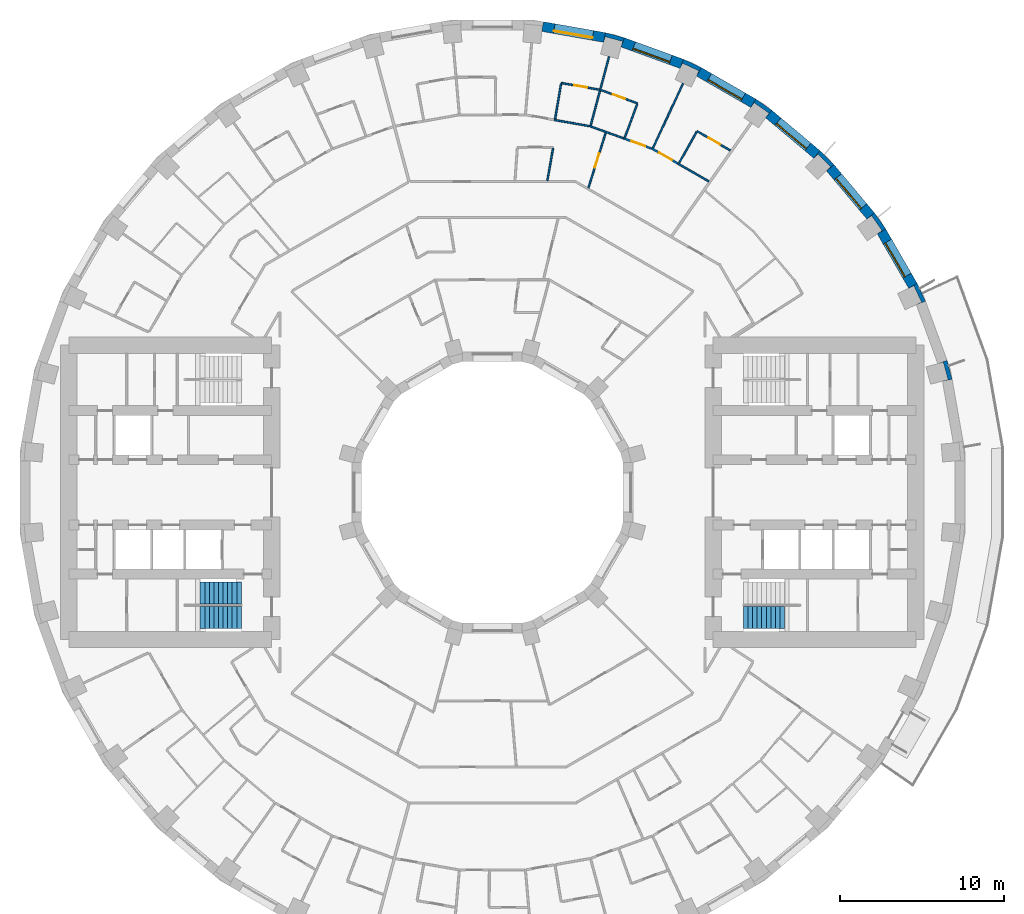
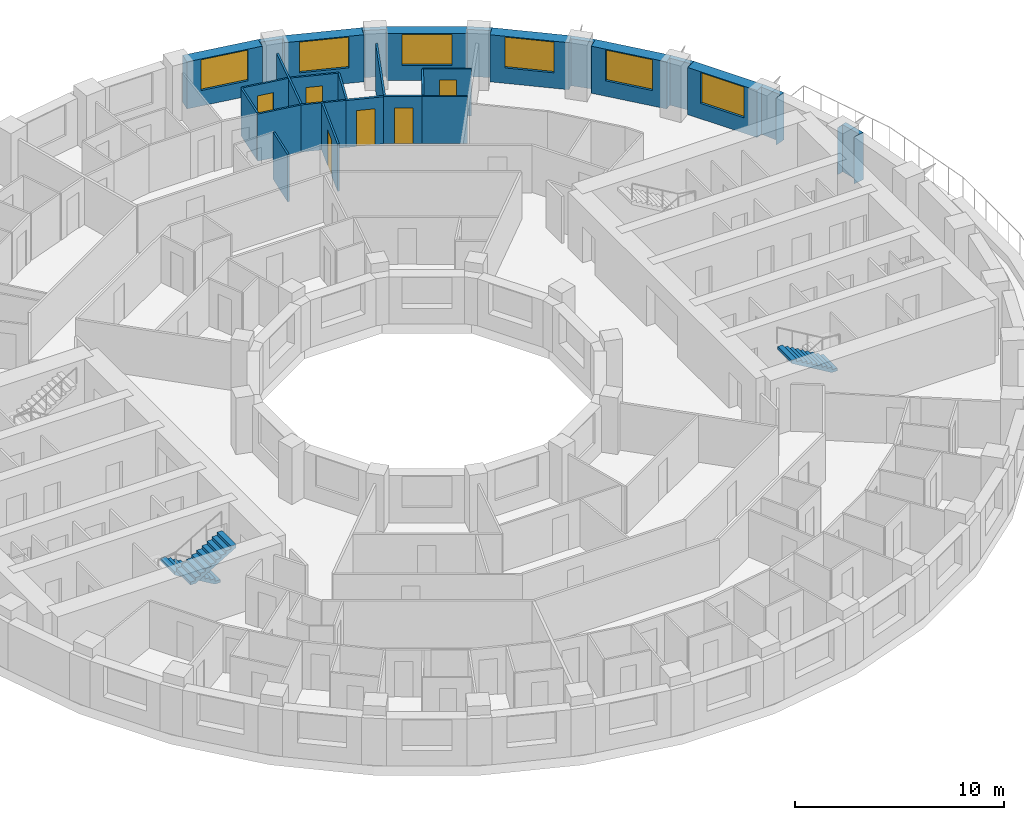
# One storey, part 12 of 14: 28 walls, 6 doors, 6 windows, 3 stair flights, 12 openings, 2 elements without a shape of their own.
"""IFC4 building model written with IfcOpenShell, lengths in metres."""

from ifc_helpers import new_model, si_unit, direction, frame, frame_2d, origin, place, context, subcontext, project, spatial, polyline, rectangle, outline, extrude, material, layer, layer_set, type_object, element, fill, aggregate, save


model = new_model("IFC4")

# Units and contexts
model_context = context("Model", 3, precision=1e-05, world=origin(), true_north=direction((0.0, 1.0)))
body_context = subcontext(model_context, "Body", "Model", "MODEL_VIEW")
ifc_project = project(units=[si_unit("LENGTHUNIT", "METRE"), si_unit("AREAUNIT", "SQUARE_METRE"), si_unit("VOLUMEUNIT", "CUBIC_METRE"), si_unit("PLANEANGLEUNIT", "RADIAN"), si_unit("MASSUNIT", "GRAM", prefix="KILO")], contexts=[model_context])

# Site, building, storey
site_placement = place(None, origin())
site = spatial("IfcSite", under=ifc_project, at=site_placement, CompositionType="ELEMENT")
building_placement = place(site_placement, origin())
building = spatial("IfcBuilding", under=site, at=building_placement, Name="Saqina Gate Tower", CompositionType="ELEMENT")
storey_placement = place(building_placement, frame((0.0, 0.0, 52.699951171875)))
storey = spatial("IfcBuildingStorey", under=building, at=storey_placement, Name="L14", CompositionType="ELEMENT", Elevation=52.699951171875)

# Walls
ifc_material_1 = material(Name="Brick masonry (red)", Category="masonry")
wall_type_1 = type_object("IfcWallType", Name="BRICK PIER COPING RED", PredefinedType="SOLIDWALL", material=ifc_material_1)
wall_1_placement = place(storey_placement, origin())
element("IfcWall", 1, at=wall_1_placement, inside=storey, type_object=wall_type_1, Name="Pier cap L14 column 2", PredefinedType="SOLIDWALL", context=body_context, shape_type="SweptSolid", body=[
    extrude(outline(polyline([(28.11669921875, 6.910400390625), (27.80517578125, 8.073974609375), (27.2412109375, 7.86865234375), (27.57958984375, 7.95947265625), (27.864501953125, 6.896728515625), (27.52587890625, 6.80615234375), (28.11669921875, 6.910400390625)])), origin(), (0.0, 0.0, 1.0), 2.75),
])
wall_2_placement = place(storey_placement, origin())
element("IfcWall", 2, at=wall_2_placement, inside=storey, type_object=wall_type_1, Name="Pier cap L14 column 3", PredefinedType="SOLIDWALL", context=body_context, shape_type="SweptSolid", body=[
    extrude(outline(polyline([(25.980712890625, 12.779541015625), (25.4609375, 12.4794921875), (25.778564453125, 12.627685546875), (26.243408203125, 11.630615234375), (25.92578125, 11.482666015625), (26.48974609375, 11.687744140625), (25.980712890625, 12.779541015625)])), origin(), (0.0, 0.0, 1.0), 2.75),
])
wall_3_placement = place(storey_placement, origin())
element("IfcWall", 3, at=wall_3_placement, inside=storey, type_object=wall_type_1, Name="Pier cap L14 column 4", PredefinedType="SOLIDWALL", context=body_context, shape_type="SweptSolid", body=[
    extrude(outline(polyline([(24.0576171875, 16.110107421875), (23.36669921875, 17.096923828125), (22.9072265625, 16.711181640625), (23.194091796875, 16.912109375), (23.8251953125, 16.010986328125), (23.5380859375, 15.81005859375), (24.0576171875, 16.110107421875)])), origin(), (0.0, 0.0, 1.0), 2.75),
])
wall_4_placement = place(storey_placement, origin())
element("IfcWall", 4, at=wall_4_placement, inside=storey, type_object=wall_type_1, Name="Pier cap L14 column 5", PredefinedType="SOLIDWALL", context=body_context, shape_type="SweptSolid", body=[
    extrude(outline(polyline([(20.04296875, 20.894775390625), (19.6572265625, 20.43505859375), (19.905029296875, 20.682861328125), (20.682861328125, 19.905029296875), (20.43505859375, 19.6572265625), (20.894775390625, 20.04296875), (20.04296875, 20.894775390625)])), origin(), (0.0, 0.0, 1.0), 2.75),
])
wall_5_placement = place(storey_placement, origin())
element("IfcWall", 5, at=wall_5_placement, inside=storey, type_object=wall_type_1, Name="Pier cap L14 column 6", PredefinedType="SOLIDWALL", context=body_context, shape_type="SweptSolid", body=[
    extrude(outline(polyline([(17.096923828125, 23.36669921875), (16.110107421875, 24.0576171875), (15.81005859375, 23.5380859375), (16.010986328125, 23.8251953125), (16.912109375, 23.194091796875), (16.711181640625, 22.9072265625), (17.096923828125, 23.36669921875)])), origin(), (0.0, 0.0, 1.0), 2.75),
])
wall_6_placement = place(storey_placement, origin())
element("IfcWall", 6, at=wall_6_placement, inside=storey, type_object=wall_type_1, Name="Pier cap L14 column 7", PredefinedType="SOLIDWALL", context=body_context, shape_type="SweptSolid", body=[
    extrude(outline(polyline([(11.687744140625, 26.48974609375), (11.482666015625, 25.92578125), (11.630615234375, 26.243408203125), (12.627685546875, 25.778564453125), (12.4794921875, 25.4609375), (12.779541015625, 25.980712890625), (11.687744140625, 26.48974609375)])), origin(), (0.0, 0.0, 1.0), 2.75),
])
wall_7_placement = place(storey_placement, origin())
element("IfcWall", 7, at=wall_7_placement, inside=storey, type_object=wall_type_1, Name="Pier cap L14 column 8", PredefinedType="SOLIDWALL", context=body_context, shape_type="SweptSolid", body=[
    extrude(outline(polyline([(6.910400390625, 28.11669921875), (6.80615234375, 27.52587890625), (6.896728515625, 27.864501953125), (7.95947265625, 27.57958984375), (7.86865234375, 27.2412109375), (8.073974609375, 27.80517578125), (6.910400390625, 28.11669921875)])), origin(), (0.0, 0.0, 1.0), 2.75),
])

# Wall, opening, window
ifc_material_2 = material(Name="Brick masonry (red)", Category="masonry")
ifc_layer_1 = layer(ifc_material_2, 0.60009765625)
ifc_layer_set_1 = layer_set([ifc_layer_1], Name="FW-BRICK-RED")
wall_type_2 = type_object("IfcWallType", Name="FW-BRICK-RED", PredefinedType="SOLIDWALL", material=ifc_layer_set_1)
wall_8_placement = place(storey_placement, frame((25.720703125, 12.629638671875, 0.0), z_axis=(0.0, 0.0, 1.0), x_axis=(-0.499989888488, 0.86603124159, 0.0)))
wall_8 = element("IfcWall", 8, at=wall_8_placement, inside=storey, type_object=wall_type_2, Name="Facade wall L14 facet 3", PredefinedType="SOLIDWALL", context=body_context, shape_type="SweptSolid", body=[
    extrude(rectangle(XDim=3.845703125, YDim=0.60009765625, at=frame_2d((1.9228515625, 0.0))), origin(), (0.0, 0.0, 1.0), 2.75),
])
opening_1_placement = place(wall_8_placement, frame((0.722900390625, 0.0, 0.89990234375)))
opening_1 = element("IfcOpeningElement", 9, at=opening_1_placement, cuts=wall_8, Name="Opening G03-W01", PredefinedType="OPENING", context=body_context, shape_type="SweptSolid", body=[
    extrude(rectangle(XDim=2.39990234375, YDim=1.800048828125, at=frame_2d((1.199951171875, 0.89990234375))), frame((0.0, 0.31201171875, 0.0), z_axis=(0.0, -1.0, 0.0), x_axis=(1.0, 0.0, 0.0)), (0.0, 0.0, 1.0), 0.6240234375),
])
ifc_material_3 = material(Name="Aluminium glazing", Category="aluminium")
window_type = type_object("IfcWindowType", Name="WN-A", PartitioningType="SINGLE_PANEL", PredefinedType="WINDOW", material=ifc_material_3)
window_1_placement = place(opening_1_placement, origin())
window_1 = element("IfcWindow", 10, at=window_1_placement, inside=storey, type_object=window_type, Name="Window L14 facet 3", OverallHeight=1.800048828125, OverallWidth=2.39990234375, PartitioningType="SINGLE_PANEL", PredefinedType="WINDOW", context=body_context, shape_type="SweptSolid", body=[
    extrude(rectangle(XDim=2.39990234375, YDim=1.800048828125, at=frame_2d((1.199951171875, 0.89990234375))), frame((0.0, 0.179931640625, 0.0), z_axis=(0.0, -1.0, 0.0), x_axis=(1.0, 0.0, 0.0)), (0.0, 0.0, 1.0), 0.06005859375),
])
fill(opening_1, window_1)

wall_9_placement = place(storey_placement, frame((23.136962890625, 16.904052734375, 0.0), z_axis=(0.0, 0.0, 1.0), x_axis=(-0.642809392687, 0.766026164483, 0.0)))
wall_9 = element("IfcWall", 11, at=wall_9_placement, inside=storey, type_object=wall_type_2, Name="Facade wall L14 facet 4", PredefinedType="SOLIDWALL", context=body_context, shape_type="SweptSolid", body=[
    extrude(rectangle(XDim=3.845947265625, YDim=0.60009765625, at=frame_2d((1.9228515625, 0.0))), origin(), (0.0, 0.0, 1.0), 2.75),
])
opening_2_placement = place(wall_9_placement, frame((0.722900390625, 0.0, 0.89990234375)))
opening_2 = element("IfcOpeningElement", 12, at=opening_2_placement, cuts=wall_9, Name="Opening G03-W02", PredefinedType="OPENING", context=body_context, shape_type="SweptSolid", body=[
    extrude(rectangle(XDim=2.39990234375, YDim=1.800048828125, at=frame_2d((1.199951171875, 0.89990234375))), frame((0.0, 0.31201171875, 0.0), z_axis=(0.0, -1.0, 0.0), x_axis=(1.0, 0.0, 0.0)), (0.0, 0.0, 1.0), 0.6240234375),
])
window_2_placement = place(opening_2_placement, origin())
window_2 = element("IfcWindow", 13, at=window_2_placement, inside=storey, type_object=window_type, Name="Window L14 facet 4", OverallHeight=1.800048828125, OverallWidth=2.39990234375, PartitioningType="SINGLE_PANEL", PredefinedType="WINDOW", context=body_context, shape_type="SweptSolid", body=[
    extrude(rectangle(XDim=2.39990234375, YDim=1.800048828125, at=frame_2d((1.199951171875, 0.89990234375))), frame((0.0, 0.179931640625, 0.0), z_axis=(0.0, -1.0, 0.0), x_axis=(1.0, 0.0, 0.0)), (0.0, 0.0, 1.0), 0.06005859375),
])
fill(opening_2, window_2)

wall_10_placement = place(storey_placement, frame((19.85009765625, 20.664794921875, 0.0), z_axis=(0.0, 0.0, 1.0), x_axis=(-0.766026164483, 0.642809392687, 0.0)))
wall_10 = element("IfcWall", 14, at=wall_10_placement, inside=storey, type_object=wall_type_2, Name="Facade wall L14 facet 5", PredefinedType="SOLIDWALL", context=body_context, shape_type="SweptSolid", body=[
    extrude(rectangle(XDim=3.845947265625, YDim=0.60009765625, at=frame_2d((1.9228515625, 0.0))), origin(), (0.0, 0.0, 1.0), 2.75),
])
opening_3_placement = place(wall_10_placement, frame((0.722900390625, 0.0, 0.89990234375)))
opening_3 = element("IfcOpeningElement", 15, at=opening_3_placement, cuts=wall_10, Name="Opening G03-W03", PredefinedType="OPENING", context=body_context, shape_type="SweptSolid", body=[
    extrude(rectangle(XDim=2.39990234375, YDim=1.800048828125, at=frame_2d((1.199951171875, 0.89990234375))), frame((0.0, 0.31201171875, 0.0), z_axis=(0.0, -1.0, 0.0), x_axis=(1.0, 0.0, 0.0)), (0.0, 0.0, 1.0), 0.6240234375),
])
window_3_placement = place(opening_3_placement, origin())
window_3 = element("IfcWindow", 16, at=window_3_placement, inside=storey, type_object=window_type, Name="Window L14 facet 5", OverallHeight=1.800048828125, OverallWidth=2.39990234375, PartitioningType="SINGLE_PANEL", PredefinedType="WINDOW", context=body_context, shape_type="SweptSolid", body=[
    extrude(rectangle(XDim=2.39990234375, YDim=1.800048828125, at=frame_2d((1.199951171875, 0.89990234375))), frame((0.0, 0.179931640625, 0.0), z_axis=(0.0, -1.0, 0.0), x_axis=(1.0, 0.0, 0.0)), (0.0, 0.0, 1.0), 0.06005859375),
])
fill(opening_3, window_3)

wall_11_placement = place(storey_placement, frame((15.960205078125, 23.7978515625, 0.0), z_axis=(0.0, 0.0, 1.0), x_axis=(-0.86603124159, 0.499989888488, 0.0)))
wall_11 = element("IfcWall", 17, at=wall_11_placement, inside=storey, type_object=wall_type_2, Name="Facade wall L14 facet 6", PredefinedType="SOLIDWALL", context=body_context, shape_type="SweptSolid", body=[
    extrude(rectangle(XDim=3.845703125, YDim=0.60009765625, at=frame_2d((1.9228515625, 0.0))), origin(), (0.0, 0.0, 1.0), 2.75),
])
opening_4_placement = place(wall_11_placement, frame((0.722900390625, 0.0, 0.89990234375)))
opening_4 = element("IfcOpeningElement", 18, at=opening_4_placement, cuts=wall_11, Name="Opening G03-W04", PredefinedType="OPENING", context=body_context, shape_type="SweptSolid", body=[
    extrude(rectangle(XDim=2.39990234375, YDim=1.800048828125, at=frame_2d((1.199951171875, 0.89990234375))), frame((0.0, 0.31201171875, 0.0), z_axis=(0.0, -1.0, 0.0), x_axis=(1.0, 0.0, 0.0)), (0.0, 0.0, 1.0), 0.6240234375),
])
window_4_placement = place(opening_4_placement, origin())
window_4 = element("IfcWindow", 19, at=window_4_placement, inside=storey, type_object=window_type, Name="Window L14 facet 6", OverallHeight=1.800048828125, OverallWidth=2.39990234375, PartitioningType="SINGLE_PANEL", PredefinedType="WINDOW", context=body_context, shape_type="SweptSolid", body=[
    extrude(rectangle(XDim=2.39990234375, YDim=1.800048828125, at=frame_2d((1.199951171875, 0.89990234375))), frame((0.0, 0.179931640625, 0.0), z_axis=(0.0, -1.0, 0.0), x_axis=(1.0, 0.0, 0.0)), (0.0, 0.0, 1.0), 0.06005859375),
])
fill(opening_4, window_4)

wall_12_placement = place(storey_placement, frame((11.585205078125, 26.207763671875, 0.0), z_axis=(0.0, 0.0, 1.0), x_axis=(-0.939689588564, 0.342028474173, 0.0)))
wall_12 = element("IfcWall", 20, at=wall_12_placement, inside=storey, type_object=wall_type_2, Name="Facade wall L14 facet 7", PredefinedType="SOLIDWALL", context=body_context, shape_type="SweptSolid", body=[
    extrude(rectangle(XDim=3.845947265625, YDim=0.60009765625, at=frame_2d((1.9228515625, 0.0))), origin(), (0.0, 0.0, 1.0), 2.75),
])
opening_5_placement = place(wall_12_placement, frame((0.722900390625, 0.0, 0.89990234375)))
opening_5 = element("IfcOpeningElement", 21, at=opening_5_placement, cuts=wall_12, Name="Opening G03-W05", PredefinedType="OPENING", context=body_context, shape_type="SweptSolid", body=[
    extrude(rectangle(XDim=2.39990234375, YDim=1.800048828125, at=frame_2d((1.199951171875, 0.89990234375))), frame((0.0, 0.31201171875, 0.0), z_axis=(0.0, -1.0, 0.0), x_axis=(1.0, 0.0, 0.0)), (0.0, 0.0, 1.0), 0.6240234375),
])
window_5_placement = place(opening_5_placement, origin())
window_5 = element("IfcWindow", 22, at=window_5_placement, inside=storey, type_object=window_type, Name="Window L14 facet 7", OverallHeight=1.800048828125, OverallWidth=2.39990234375, PartitioningType="SINGLE_PANEL", PredefinedType="WINDOW", context=body_context, shape_type="SweptSolid", body=[
    extrude(rectangle(XDim=2.39990234375, YDim=1.800048828125, at=frame_2d((1.199951171875, 0.89990234375))), frame((0.0, 0.179931640625, 0.0), z_axis=(0.0, -1.0, 0.0), x_axis=(1.0, 0.0, 0.0)), (0.0, 0.0, 1.0), 0.06005859375),
])
fill(opening_5, window_5)

wall_13_placement = place(storey_placement, frame((6.858154296875, 27.8212890625, 0.0), z_axis=(0.0, 0.0, 1.0), x_axis=(-0.984800809218, 0.173687553279, 0.0)))
wall_13 = element("IfcWall", 23, at=wall_13_placement, inside=storey, type_object=wall_type_2, Name="Facade wall L14 facet 8", PredefinedType="SOLIDWALL", context=body_context, shape_type="SweptSolid", body=[
    extrude(rectangle(XDim=3.845703125, YDim=0.60009765625, at=frame_2d((1.9228515625, 0.0))), origin(), (0.0, 0.0, 1.0), 2.75),
])
opening_6_placement = place(wall_13_placement, frame((0.722900390625, 0.0, 0.89990234375)))
opening_6 = element("IfcOpeningElement", 24, at=opening_6_placement, cuts=wall_13, Name="Opening G03-W06", PredefinedType="OPENING", context=body_context, shape_type="SweptSolid", body=[
    extrude(rectangle(XDim=2.39990234375, YDim=1.800048828125, at=frame_2d((1.199951171875, 0.89990234375))), frame((0.0, 0.31201171875, 0.0), z_axis=(0.0, -1.0, 0.0), x_axis=(1.0, 0.0, 0.0)), (0.0, 0.0, 1.0), 0.6240234375),
])
window_6_placement = place(opening_6_placement, origin())
window_6 = element("IfcWindow", 25, at=window_6_placement, inside=storey, type_object=window_type, Name="Window L14 facet 8", OverallHeight=1.800048828125, OverallWidth=2.39990234375, PartitioningType="SINGLE_PANEL", PredefinedType="WINDOW", context=body_context, shape_type="SweptSolid", body=[
    extrude(rectangle(XDim=2.39990234375, YDim=1.800048828125, at=frame_2d((1.199951171875, 0.89990234375))), frame((0.0, 0.179931640625, 0.0), z_axis=(0.0, -1.0, 0.0), x_axis=(1.0, 0.0, 0.0)), (0.0, 0.0, 1.0), 0.06005859375),
])
fill(opening_6, window_6)

# Wall
ifc_material_4 = material(Name="Gypsum board on steel studs, 100 mm", Category="steel")
ifc_layer_2 = layer(ifc_material_4, 0.10009765625)
ifc_layer_set_2 = layer_set([ifc_layer_2], Name="PARTITION 100")
wall_type_3 = type_object("IfcWallType", Name="PARTITION 100", PredefinedType="PARTITIONING", material=ifc_layer_set_2)
wall_14_placement = place(storey_placement, frame((11.341796875, 20.114013671875, 0.0), z_axis=(0.0, 0.0, 1.0), x_axis=(0.865827333674, -0.500342910675, 0.0)))
element("IfcWall", 26, at=wall_14_placement, inside=storey, type_object=wall_type_3, Name="PARTITION PW3-50", PredefinedType="PARTITIONING", context=body_context, shape_type="SweptSolid", body=[
    extrude(rectangle(XDim=2.1796875, YDim=0.10009765625, at=frame_2d((1.08984375, 0.0))), origin(), (0.0, 0.0, 1.0), 2.75),
])

# Wall, opening, door
wall_15_placement = place(storey_placement, frame((12.51904296875, 22.090087890625, 0.0), z_axis=(0.0, 0.0, 1.0), x_axis=(0.865796038429, -0.500397062182, 0.0)))
wall_15 = element("IfcWall", 27, at=wall_15_placement, inside=storey, type_object=wall_type_3, Name="PARTITION PW3-51", PredefinedType="PARTITIONING", context=body_context, shape_type="SweptSolid", body=[
    extrude(rectangle(XDim=2.34912109375, YDim=0.10009765625, at=frame_2d((1.174560546875, 0.0))), origin(), (0.0, 0.0, 1.0), 2.75),
])
opening_7_placement = place(wall_15_placement, frame((0.81201171875, 0.0, 0.0)))
opening_7 = element("IfcOpeningElement", 28, at=opening_7_placement, cuts=wall_15, Name="Opening G03-D05", PredefinedType="OPENING", context=body_context, shape_type="SweptSolid", body=[
    extrude(rectangle(XDim=0.800048828125, YDim=2.10009765625, at=frame_2d((0.39990234375, 1.050048828125))), frame((0.0, 0.06201171875, 0.0), z_axis=(0.0, -1.0, 0.0), x_axis=(1.0, 0.0, 0.0)), (0.0, 0.0, 1.0), 0.1240234375),
])
ifc_material_5 = material(Name="Timber door leaf, 800 mm", Category="wood")
door_type_1 = type_object("IfcDoorType", Name="DOOR 800 TIMBER", OperationType="SINGLE_SWING_LEFT", PredefinedType="DOOR", material=ifc_material_5)
door_1_placement = place(opening_7_placement, origin())
door_1 = element("IfcDoor", 29, at=door_1_placement, inside=storey, type_object=door_type_1, Name="DOOR G03-D05", OperationType="SINGLE_SWING_RIGHT", OverallHeight=2.10009765625, OverallWidth=0.800048828125, PredefinedType="DOOR", context=body_context, shape_type="SweptSolid", body=[
    extrude(rectangle(XDim=0.800048828125, YDim=2.10009765625, at=frame_2d((0.39990234375, 1.050048828125))), frame((0.0, 0.02490234375, 0.0), z_axis=(0.0, -1.0, 0.0), x_axis=(1.0, 0.0, 0.0)), (0.0, 0.0, 1.0), 0.050048828125),
])
fill(opening_7, door_1)

# Wall
wall_16_placement = place(storey_placement, frame((5.951171875, 22.4052734375, 0.0), z_axis=(0.0, 0.0, 1.0), x_axis=(0.939715397741, -0.341957557671, 0.0)))
element("IfcWall", 30, at=wall_16_placement, inside=storey, type_object=wall_type_3, Name="PARTITION PW3-55", PredefinedType="PARTITIONING", context=body_context, shape_type="SweptSolid", body=[
    extrude(rectangle(XDim=2.193359375, YDim=0.10009765625, at=frame_2d((1.0966796875, 0.0))), origin(), (0.0, 0.0, 1.0), 2.75),
])

# Wall, opening, door
wall_17_placement = place(storey_placement, frame((6.64306640625, 24.600830078125, 0.0), z_axis=(0.0, 0.0, 1.0), x_axis=(0.939772412057, -0.341800838995, 0.0)))
wall_17 = element("IfcWall", 31, at=wall_17_placement, inside=storey, type_object=wall_type_3, Name="PARTITION PW3-56", PredefinedType="PARTITIONING", context=body_context, shape_type="SweptSolid", body=[
    extrude(rectangle(XDim=2.375, YDim=0.10009765625, at=frame_2d((1.1875, 0.0))), origin(), (0.0, 0.0, 1.0), 2.75),
])
opening_8_placement = place(wall_17_placement, frame((0.762451171875, 0.0, 0.0)))
opening_8 = element("IfcOpeningElement", 32, at=opening_8_placement, cuts=wall_17, Name="Opening G03-D09", PredefinedType="OPENING", context=body_context, shape_type="SweptSolid", body=[
    extrude(rectangle(XDim=0.800048828125, YDim=2.10009765625, at=frame_2d((0.39990234375, 1.050048828125))), frame((0.0, 0.06201171875, 0.0), z_axis=(0.0, -1.0, 0.0), x_axis=(1.0, 0.0, 0.0)), (0.0, 0.0, 1.0), 0.1240234375),
])
door_2_placement = place(opening_8_placement, origin())
door_2 = element("IfcDoor", 33, at=door_2_placement, inside=storey, type_object=door_type_1, Name="DOOR G03-D09", OperationType="SINGLE_SWING_LEFT", OverallHeight=2.10009765625, OverallWidth=0.800048828125, PredefinedType="DOOR", context=body_context, shape_type="SweptSolid", body=[
    extrude(rectangle(XDim=0.800048828125, YDim=2.10009765625, at=frame_2d((0.39990234375, 1.050048828125))), frame((0.0, 0.02490234375, 0.0), z_axis=(0.0, -1.0, 0.0), x_axis=(1.0, 0.0, 0.0)), (0.0, 0.0, 1.0), 0.050048828125),
])
fill(opening_8, door_2)

# Wall
wall_18_placement = place(storey_placement, frame((3.77783203125, 22.77978515625, 0.0), z_axis=(0.0, 0.0, 1.0), x_axis=(0.984800270927, -0.173690605338, 0.0)))
element("IfcWall", 34, at=wall_18_placement, inside=storey, type_object=wall_type_3, Name="PARTITION PW3-59", PredefinedType="PARTITIONING", context=body_context, shape_type="SweptSolid", body=[
    extrude(rectangle(XDim=2.205322265625, YDim=0.10009765625, at=frame_2d((1.1025390625, 0.0))), origin(), (0.0, 0.0, 1.0), 2.75),
])

# Wall, opening, door
wall_19_placement = place(storey_placement, frame((4.2080078125, 25.0390625, 0.0), z_axis=(0.0, 0.0, 1.0), x_axis=(0.984811488016, -0.173626994077, 0.0)))
wall_19 = element("IfcWall", 35, at=wall_19_placement, inside=storey, type_object=wall_type_3, Name="PARTITION PW3-60", PredefinedType="PARTITIONING", context=body_context, shape_type="SweptSolid", body=[
    extrude(rectangle(XDim=2.375, YDim=0.10009765625, at=frame_2d((1.1875, 0.0))), origin(), (0.0, 0.0, 1.0), 2.75),
])
opening_9_placement = place(wall_19_placement, frame((0.8125, 0.0, 0.0)))
opening_9 = element("IfcOpeningElement", 36, at=opening_9_placement, cuts=wall_19, Name="Opening G03-D12", PredefinedType="OPENING", context=body_context, shape_type="SweptSolid", body=[
    extrude(rectangle(XDim=0.800048828125, YDim=2.10009765625, at=frame_2d((0.39990234375, 1.050048828125))), frame((0.0, 0.06201171875, 0.0), z_axis=(0.0, -1.0, 0.0), x_axis=(1.0, 0.0, 0.0)), (0.0, 0.0, 1.0), 0.1240234375),
])
door_3_placement = place(opening_9_placement, origin())
door_3 = element("IfcDoor", 37, at=door_3_placement, inside=storey, type_object=door_type_1, Name="DOOR G03-D12", OperationType="SINGLE_SWING_RIGHT", OverallHeight=2.10009765625, OverallWidth=0.800048828125, PredefinedType="DOOR", context=body_context, shape_type="SweptSolid", body=[
    extrude(rectangle(XDim=0.800048828125, YDim=2.10009765625, at=frame_2d((0.39990234375, 1.050048828125))), frame((0.0, 0.02490234375, 0.0), z_axis=(0.0, -1.0, 0.0), x_axis=(1.0, 0.0, 0.0)), (0.0, 0.0, 1.0), 0.050048828125),
])
fill(opening_9, door_3)

# Walls
wall_20_placement = place(storey_placement, frame((11.415771484375, 20.143310546875, 0.0), z_axis=(0.0, 0.0, 1.0), x_axis=(0.493082970536, 0.869982289571, 0.0)))
element("IfcWall", 38, at=wall_20_placement, inside=storey, type_object=wall_type_3, Name="PARTITION PW3-111", PredefinedType="PARTITIONING", context=body_context, shape_type="SweptSolid", body=[
    extrude(rectangle(XDim=2.1875, YDim=0.10009765625, at=frame_2d((1.09375, 0.0))), origin(), (0.0, 0.0, 1.0), 2.75),
])
wall_21_placement = place(storey_placement, frame((9.821533203125, 21.062744140625, 0.0), z_axis=(0.0, 0.0, 1.0), x_axis=(0.422575107016, 0.906327909164, 0.0)))
element("IfcWall", 39, at=wall_21_placement, inside=storey, type_object=wall_type_3, Name="PARTITION PW3-113", PredefinedType="PARTITIONING", context=body_context, shape_type="SweptSolid", body=[
    extrude(rectangle(XDim=4.349853515625, YDim=0.10009765625, at=frame_2d((2.1748046875, 0.0))), origin(), (0.0, 0.0, 1.0), 2.75),
])
wall_22_placement = place(storey_placement, frame((8.0927734375, 21.692626953125, 0.0), z_axis=(0.0, 0.0, 1.0), x_axis=(0.349545192277, 0.936919504843, 0.0)))
element("IfcWall", 40, at=wall_22_placement, inside=storey, type_object=wall_type_3, Name="PARTITION PW3-115", PredefinedType="PARTITIONING", context=body_context, shape_type="SweptSolid", body=[
    extrude(rectangle(XDim=2.1875, YDim=0.10009765625, at=frame_2d((1.09375, 0.0))), origin(), (0.0, 0.0, 1.0), 2.75),
])

# Wall, opening, door
wall_23_placement = place(storey_placement, frame((5.870849609375, 18.62060546875, 0.0), z_axis=(0.0, 0.0, 1.0), x_axis=(0.300843987317, 0.953673369291, 0.0)))
wall_23 = element("IfcWall", 41, at=wall_23_placement, inside=storey, type_object=wall_type_3, Name="PARTITION PW3-117", PredefinedType="PARTITIONING", context=body_context, shape_type="SweptSolid", body=[
    extrude(rectangle(XDim=3.537353515625, YDim=0.10009765625, at=frame_2d((1.7685546875, 0.0))), origin(), (0.0, 0.0, 1.0), 2.75),
])
opening_10_placement = place(wall_23_placement, frame((1.3125, 0.0, 0.0)))
opening_10 = element("IfcOpeningElement", 42, at=opening_10_placement, cuts=wall_23, Name="Opening G03-D10", PredefinedType="OPENING", context=body_context, shape_type="SweptSolid", body=[
    extrude(rectangle(XDim=0.89990234375, YDim=2.10009765625, at=frame_2d((0.449951171875, 1.050048828125))), frame((0.0, 0.06201171875, 0.0), z_axis=(0.0, -1.0, 0.0), x_axis=(1.0, 0.0, 0.0)), (0.0, 0.0, 1.0), 0.1240234375),
])
ifc_material_6 = material(Name="Timber door leaf, 900 mm", Category="wood")
door_type_2 = type_object("IfcDoorType", Name="DOOR 900 TIMBER", OperationType="SINGLE_SWING_LEFT", PredefinedType="DOOR", material=ifc_material_6)
door_4_placement = place(opening_10_placement, origin())
door_4 = element("IfcDoor", 43, at=door_4_placement, inside=storey, type_object=door_type_2, Name="DOOR G03-D10", OperationType="SINGLE_SWING_LEFT", OverallHeight=2.10009765625, OverallWidth=0.89990234375, PredefinedType="DOOR", context=body_context, shape_type="SweptSolid", body=[
    extrude(rectangle(XDim=0.89990234375, YDim=2.10009765625, at=frame_2d((0.449951171875, 1.050048828125))), frame((0.0, 0.02490234375, 0.0), z_axis=(0.0, -1.0, 0.0), x_axis=(1.0, 0.0, 0.0)), (0.0, 0.0, 1.0), 0.050048828125),
])
fill(opening_10, door_4)

# Walls
wall_24_placement = place(storey_placement, frame((6.011962890625, 22.436279296875, 0.0), z_axis=(0.0, 0.0, 1.0), x_axis=(0.258174675421, 0.966098254305, 0.0)))
element("IfcWall", 44, at=wall_24_placement, inside=storey, type_object=wall_type_3, Name="PARTITION PW3-120", PredefinedType="PARTITIONING", context=body_context, shape_type="SweptSolid", body=[
    extrude(rectangle(XDim=4.3623046875, YDim=0.10009765625, at=frame_2d((2.18115234375, 0.0))), origin(), (0.0, 0.0, 1.0), 2.75),
])
wall_25_placement = place(storey_placement, frame((3.36083984375, 19.0615234375, 0.0), z_axis=(0.0, 0.0, 1.0), x_axis=(0.173564686846, 0.984822471047, 0.0)))
element("IfcWall", 45, at=wall_25_placement, inside=storey, type_object=wall_type_3, Name="PARTITION PW3-123", PredefinedType="PARTITIONING", context=body_context, shape_type="SweptSolid", body=[
    extrude(rectangle(XDim=2.02001953125, YDim=0.10009765625, at=frame_2d((1.010009765625, 0.0))), origin(), (0.0, 0.0, 1.0), 2.75),
])
wall_26_placement = place(storey_placement, frame((3.83740234375, 22.83251953125, 0.0), z_axis=(0.0, 0.0, 1.0), x_axis=(0.165629588415, 0.986188034526, 0.0)))
element("IfcWall", 46, at=wall_26_placement, inside=storey, type_object=wall_type_3, Name="PARTITION PW3-124", PredefinedType="PARTITIONING", context=body_context, shape_type="SweptSolid", body=[
    extrude(rectangle(XDim=2.1875, YDim=0.10009765625, at=frame_2d((1.09375, 0.0))), origin(), (0.0, 0.0, 1.0), 2.75),
])

# Wall, opening, door
ifc_material_7 = material(Name="Gypsum board on steel studs, 125 mm, fire rated", Category="steel")
ifc_layer_3 = layer(ifc_material_7, 0.125)
ifc_layer_set_3 = layer_set([ifc_layer_3], Name="PARTITION EI 30 125")
wall_type_4 = type_object("IfcWallType", Name="PARTITION EI 30 125", PredefinedType="PARTITIONING", material=ifc_layer_set_3)
wall_27_placement = place(storey_placement, frame((9.739990234375, 21.03759765625, 0.0), z_axis=(0.0, 0.0, 1.0), x_axis=(0.866310857082, -0.499505254129, 0.0)))
wall_27 = element("IfcWall", 47, at=wall_27_placement, inside=storey, type_object=wall_type_4, Name="PARTITION PW1-18", PredefinedType="PARTITIONING", context=body_context, shape_type="SweptSolid", body=[
    extrude(rectangle(XDim=1.848876953125, YDim=0.125, at=frame_2d((0.92431640625, 0.0))), origin(), (0.0, 0.0, 1.0), 2.75),
])
opening_11_placement = place(wall_27_placement, frame((0.53125, 0.0, 0.0)))
opening_11 = element("IfcOpeningElement", 48, at=opening_11_placement, cuts=wall_27, Name="Opening G03-D06", PredefinedType="OPENING", context=body_context, shape_type="SweptSolid", body=[
    extrude(rectangle(XDim=0.89990234375, YDim=2.10009765625, at=frame_2d((0.449951171875, 1.050048828125))), frame((0.0, 0.074462890625, 0.0), z_axis=(0.0, -1.0, 0.0), x_axis=(1.0, 0.0, 0.0)), (0.0, 0.0, 1.0), 0.14892578125),
])
ifc_material_8 = material(Name="Fire door leaf EI 30, 900 mm")
door_type_3 = type_object("IfcDoorType", Name="DOOR 900 EI 30", OperationType="SINGLE_SWING_LEFT", PredefinedType="DOOR", material=ifc_material_8)
door_5_placement = place(opening_11_placement, frame((0.89990234375, 0.0, 0.0), z_axis=(0.0, 0.0, 1.0), x_axis=(-1.0, 0.0, 0.0)))
door_5 = element("IfcDoor", 49, at=door_5_placement, inside=storey, type_object=door_type_3, Name="DOOR G03-D06", OperationType="SINGLE_SWING_RIGHT", OverallHeight=2.10009765625, OverallWidth=0.89990234375, PredefinedType="DOOR", context=body_context, shape_type="SweptSolid", body=[
    extrude(rectangle(XDim=0.89990234375, YDim=2.10009765625, at=frame_2d((0.449951171875, 1.050048828125))), frame((0.0, 0.02490234375, 0.0), z_axis=(0.0, -1.0, 0.0), x_axis=(1.0, 0.0, 0.0)), (0.0, 0.0, 1.0), 0.050048828125),
])
fill(opening_11, door_5)

wall_28_placement = place(storey_placement, frame((8.01220703125, 21.655517578125, 0.0), z_axis=(0.0, 0.0, 1.0), x_axis=(0.939291312795, -0.34312072177, 0.0)))
wall_28 = element("IfcWall", 50, at=wall_28_placement, inside=storey, type_object=wall_type_4, Name="PARTITION PW1-20", PredefinedType="PARTITIONING", context=body_context, shape_type="SweptSolid", body=[
    extrude(rectangle(XDim=1.8349609375, YDim=0.125, at=frame_2d((0.91748046875, 0.0))), origin(), (0.0, 0.0, 1.0), 2.75),
])
opening_12_placement = place(wall_28_placement, frame((0.52978515625, 0.0, 0.0)))
opening_12 = element("IfcOpeningElement", 51, at=opening_12_placement, cuts=wall_28, Name="Opening G03-D08", PredefinedType="OPENING", context=body_context, shape_type="SweptSolid", body=[
    extrude(rectangle(XDim=0.89990234375, YDim=2.10009765625, at=frame_2d((0.449951171875, 1.050048828125))), frame((0.0, 0.074462890625, 0.0), z_axis=(0.0, -1.0, 0.0), x_axis=(1.0, 0.0, 0.0)), (0.0, 0.0, 1.0), 0.14892578125),
])
door_6_placement = place(opening_12_placement, frame((0.89990234375, 0.0, 0.0), z_axis=(0.0, 0.0, 1.0), x_axis=(-1.0, 0.0, 0.0)))
door_6 = element("IfcDoor", 52, at=door_6_placement, inside=storey, type_object=door_type_3, Name="DOOR G03-D08", OperationType="SINGLE_SWING_LEFT", OverallHeight=2.10009765625, OverallWidth=0.89990234375, PredefinedType="DOOR", context=body_context, shape_type="SweptSolid", body=[
    extrude(rectangle(XDim=0.89990234375, YDim=2.10009765625, at=frame_2d((0.449951171875, 1.050048828125))), frame((0.0, 0.02490234375, 0.0), z_axis=(0.0, -1.0, 0.0), x_axis=(1.0, 0.0, 0.0)), (0.0, 0.0, 1.0), 0.050048828125),
])
fill(opening_12, door_6)

# Stair, stair flight
ifc_material_9 = material(Name="Concrete C40/50", Category="concrete")
stair_type = type_object("IfcStairType", Name="EXIT STAIR", PredefinedType="HALF_TURN_STAIR", material=ifc_material_9)
stair_1_placement = place(storey_placement, origin())
stair_1 = element("IfcStair", 53, at=stair_1_placement, inside=storey, type_object=stair_type, Name="EXIT STAIR 2", PredefinedType="HALF_TURN_STAIR")
ifc_material_10 = material(Name="Concrete C40/50", Category="concrete")
stair_flight_type = type_object("IfcStairFlightType", Name="EXIT STAIR FLIGHT", PredefinedType="STRAIGHT", material=ifc_material_10)
stair_flight_1_placement = place(storey_placement, frame((17.8701171875, -7.658447265625, 1.650146484375), z_axis=(0.0, 0.0, 1.0), x_axis=(-1.0, 0.0, 0.0)))
stair_flight_1 = element("IfcStairFlight", 54, at=stair_flight_1_placement, type_object=stair_flight_type, Name="EXIT STAIR 2 FLIGHT 2", NumberOfRisers=10, NumberOfTreads=9, PredefinedType="STRAIGHT", RiserHeight=0.165, TreadLength=0.28, context=body_context, shape_type="SweptSolid", body=[
    extrude(outline(polyline([(0.0, 0.0), (0.0, 0.1650390625), (0.280029296875, 0.1650390625), (0.280029296875, 0.330078125), (0.56005859375, 0.330078125), (0.56005859375, 0.4951171875), (0.840087890625, 0.4951171875), (0.840087890625, 0.659912109375), (1.1201171875, 0.659912109375), (1.1201171875, 0.824951171875), (1.39990234375, 0.824951171875), (1.39990234375, 0.989990234375), (1.679931640625, 0.989990234375), (1.679931640625, 1.155029296875), (1.9599609375, 1.155029296875), (1.9599609375, 1.320068359375), (2.239990234375, 1.320068359375), (2.239990234375, 1.485107421875), (2.52001953125, 1.485107421875), (2.52001953125, 1.64990234375), (2.52001953125, 1.31103515625), (0.295166015625, 0.0), (0.0, 0.0)])), frame((0.0, 0.675048828125, 0.0), z_axis=(0.0, -1.0, 0.0), x_axis=(1.0, 0.0, 0.0)), (0.0, 0.0, 1.0), 1.35009765625),
])
aggregate(stair_1, [stair_flight_1])

# Stair, stair flights
stair_2_placement = place(storey_placement, origin())
stair_2 = element("IfcStair", 55, at=stair_2_placement, inside=storey, type_object=stair_type, Name="EXIT STAIR 4", PredefinedType="HALF_TURN_STAIR")
stair_flight_2_placement = place(storey_placement, frame((-15.35009765625, -6.1416015625, 0.0), z_axis=(0.0, 0.0, 1.0), x_axis=(-1.0, 0.0, 0.0)))
stair_flight_2 = element("IfcStairFlight", 56, at=stair_flight_2_placement, type_object=stair_flight_type, Name="EXIT STAIR 4 FLIGHT 1", NumberOfRisers=10, NumberOfTreads=9, PredefinedType="STRAIGHT", RiserHeight=0.165, TreadLength=0.28, context=body_context, shape_type="SweptSolid", body=[
    extrude(outline(polyline([(0.0, 0.0), (0.0, 0.1650390625), (0.280029296875, 0.1650390625), (0.280029296875, 0.330078125), (0.56005859375, 0.330078125), (0.56005859375, 0.4951171875), (0.840087890625, 0.4951171875), (0.840087890625, 0.659912109375), (1.1201171875, 0.659912109375), (1.1201171875, 0.824951171875), (1.39990234375, 0.824951171875), (1.39990234375, 0.989990234375), (1.679931640625, 0.989990234375), (1.679931640625, 1.155029296875), (1.9599609375, 1.155029296875), (1.9599609375, 1.320068359375), (2.239990234375, 1.320068359375), (2.239990234375, 1.485107421875), (2.52001953125, 1.485107421875), (2.52001953125, 1.64990234375), (2.52001953125, 1.31103515625), (0.295166015625, 0.0), (0.0, 0.0)])), frame((0.0, 0.675048828125, 0.0), z_axis=(0.0, -1.0, 0.0), x_axis=(1.0, 0.0, 0.0)), (0.0, 0.0, 1.0), 1.35009765625),
])
stair_flight_3_placement = place(storey_placement, frame((-17.8701171875, -7.658447265625, 1.650146484375), z_axis=(0.0, 0.0, 1.0), x_axis=(1.0, 0.0, 0.0)))
stair_flight_3 = element("IfcStairFlight", 57, at=stair_flight_3_placement, type_object=stair_flight_type, Name="EXIT STAIR 4 FLIGHT 2", NumberOfRisers=10, NumberOfTreads=9, PredefinedType="STRAIGHT", RiserHeight=0.165, TreadLength=0.28, context=body_context, shape_type="SweptSolid", body=[
    extrude(outline(polyline([(0.0, 0.0), (0.0, 0.1650390625), (0.280029296875, 0.1650390625), (0.280029296875, 0.330078125), (0.56005859375, 0.330078125), (0.56005859375, 0.4951171875), (0.840087890625, 0.4951171875), (0.840087890625, 0.659912109375), (1.1201171875, 0.659912109375), (1.1201171875, 0.824951171875), (1.39990234375, 0.824951171875), (1.39990234375, 0.989990234375), (1.679931640625, 0.989990234375), (1.679931640625, 1.155029296875), (1.9599609375, 1.155029296875), (1.9599609375, 1.320068359375), (2.239990234375, 1.320068359375), (2.239990234375, 1.485107421875), (2.52001953125, 1.485107421875), (2.52001953125, 1.64990234375), (2.52001953125, 1.31103515625), (0.295166015625, 0.0), (0.0, 0.0)])), frame((0.0, 0.675048828125, 0.0), z_axis=(0.0, -1.0, 0.0), x_axis=(1.0, 0.0, 0.0)), (0.0, 0.0, 1.0), 1.35009765625),
])
aggregate(stair_2, [stair_flight_2, stair_flight_3])

save(model, "model.ifc")
